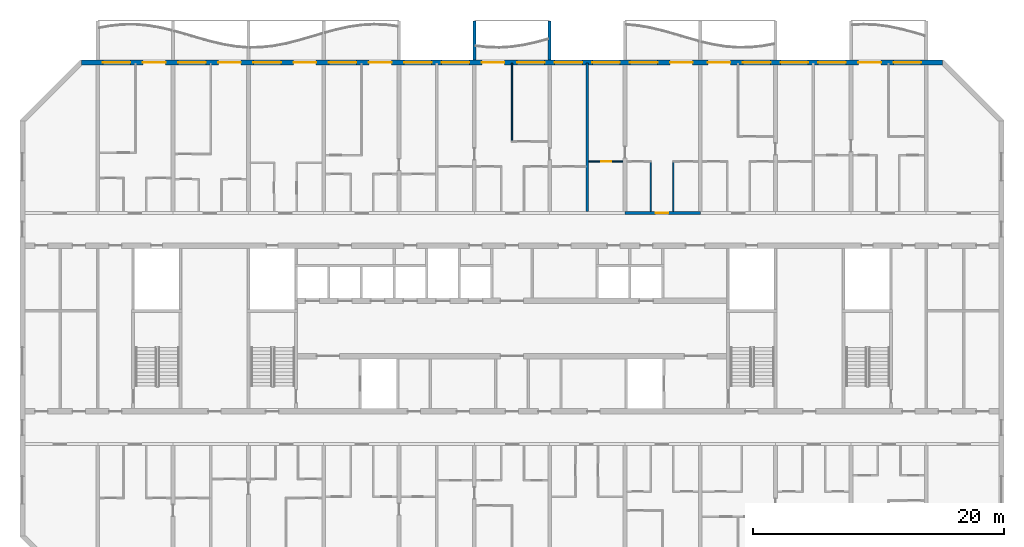
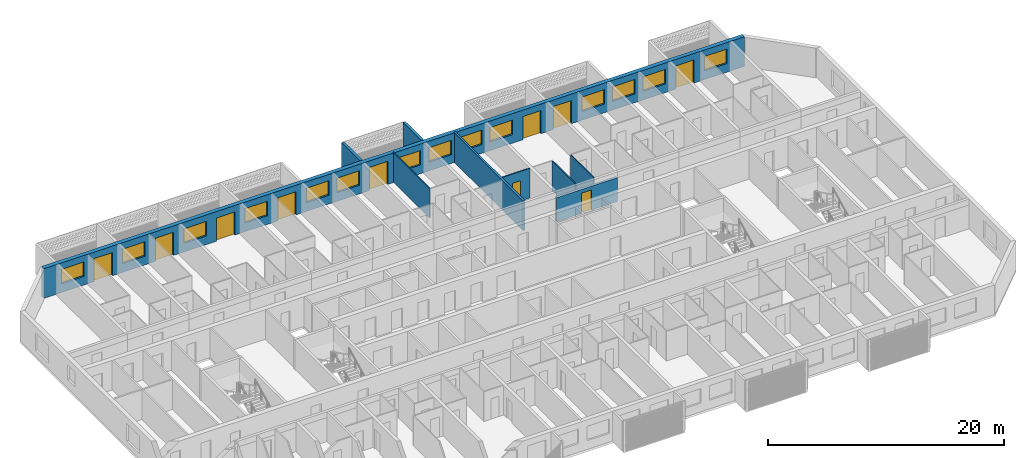
# One storey, part 10 of 32: 14 windows, 10 doors, 9 walls, 24 openings.
"""IFC4 building model written with IfcOpenShell, lengths in metres."""

from ifc_helpers import new_model, si_unit, direction, frame, frame_2d, origin, place, context, subcontext, project, spatial, polyline, rectangle, outline, extrude, source, transform, mapped, material, layer, layer_set, type_object, element, fill, save


model = new_model("IFC4")

# Units and contexts
model_context = context("Model", 3, precision=1e-05, world=origin(), true_north=direction((0.0, 1.0)))
body_context = subcontext(model_context, "Body", "Model", "MODEL_VIEW")
ifc_project = project(units=[si_unit("LENGTHUNIT", "METRE"), si_unit("AREAUNIT", "SQUARE_METRE"), si_unit("VOLUMEUNIT", "CUBIC_METRE"), si_unit("PLANEANGLEUNIT", "RADIAN"), si_unit("MASSUNIT", "GRAM", prefix="KILO")], contexts=[model_context])

# Site, building, storey
site_placement = place(None, origin())
site = spatial("IfcSite", under=ifc_project, at=site_placement, CompositionType="ELEMENT")
building_placement = place(site_placement, origin())
building = spatial("IfcBuilding", under=site, at=building_placement, Name="Poui Terraces", CompositionType="ELEMENT")
storey_placement = place(building_placement, frame((0.0, 0.0, 125.699951171875)))
storey = spatial("IfcBuildingStorey", under=building, at=storey_placement, Name="L34", CompositionType="ELEMENT", Elevation=125.699951171875)

# Wall, opening, door
ifc_material_1 = material(Name="Concrete 65 MPa", Category="concrete")
ifc_layer_1 = layer(ifc_material_1, 0.25)
ifc_layer_set_1 = layer_set([ifc_layer_1], Name="Concrete 65 MPa")
wall_type_1 = type_object("IfcWallType", Name="CORRIDOR WALL 250 65MPa", PredefinedType="SHEAR", material=ifc_layer_set_1)
wall_1_placement = place(storey_placement, frame((60.0, 30.39990234375, 0.0), z_axis=(0.0, 0.0, 1.0), x_axis=(1.0, 0.0, 0.0)))
wall_1 = element("IfcWall", 1, at=wall_1_placement, inside=storey, type_object=wall_type_1, Name="CORRIDOR WALL LINE E BAY 9", PredefinedType="SHEAR", context=body_context, shape_type="SweptSolid", body=[
    extrude(rectangle(XDim=6.0, YDim=0.25, at=frame_2d((3.0, 0.0))), origin(), (0.0, 0.0, 1.0), 2.469970703125),
])
opening_1_placement = place(wall_1_placement, frame((2.449951171875, 0.0, 0.0)))
opening_1 = element("IfcOpeningElement", 2, at=opening_1_placement, cuts=wall_1, Name="Opening FD30S", PredefinedType="OPENING", context=body_context, shape_type="SweptSolid", body=[
    extrude(rectangle(XDim=1.0, YDim=2.10009765625, at=frame_2d((0.5, 1.050048828125))), frame((0.0, 0.135009765625, 0.0), z_axis=(0.0, -1.0, 0.0), x_axis=(1.0, 0.0, 0.0)), (0.0, 0.0, 1.0), 0.27001953125),
])
ifc_material_2 = material(Name="Steel fire door", Category="steel")
door_type_1 = type_object("IfcDoorType", Name="FLAT ENTRANCE DOOR 1000 X 2100", OperationType="NOTDEFINED", PredefinedType="DOOR", material=ifc_material_2)
door_1_placement = place(opening_1_placement, origin())
door_1 = element("IfcDoor", 3, at=door_1_placement, inside=storey, type_object=door_type_1, Name="FLAT ENTRANCE DOOR 063", OperationType="SINGLE_SWING_LEFT", OverallHeight=2.10009765625, OverallWidth=1.0, PredefinedType="DOOR", context=body_context, shape_type="SweptSolid", body=[
    extrude(rectangle(XDim=1.0, YDim=2.10009765625, at=frame_2d((0.5, 1.050048828125))), frame((0.0, 0.02490234375, 0.0), z_axis=(0.0, -1.0, 0.0), x_axis=(1.0, 0.0, 0.0)), (0.0, 0.0, 1.0), 0.050048828125),
])
fill(opening_1, door_1)

# Wall, openings, doors, windows
ifc_material_3 = material(Name="Precast concrete 40 MPa", Category="concrete")
ifc_layer_2 = layer(ifc_material_3, 0.39990234375)
ifc_layer_set_2 = layer_set([ifc_layer_2], Name="Precast concrete 40 MPa")
wall_type_2 = type_object("IfcWallType", Name="EXTERNAL WALL 400", PredefinedType="STANDARD", material=ifc_layer_set_2)
wall_2_placement = place(storey_placement, frame((85.317138671875, 42.39990234375, 0.0), z_axis=(0.0, 0.0, 1.0), x_axis=(-1.0, 0.0, 0.0)))
wall_2 = element("IfcWall", 4, at=wall_2_placement, inside=storey, type_object=wall_type_2, Name="EXTERNAL WALL N", PredefinedType="STANDARD", context=body_context, shape_type="SweptSolid", body=[
    extrude(rectangle(XDim=68.63427734375, YDim=0.39990234375, at=frame_2d((34.317138671875, 0.0))), origin(), (0.0, 0.0, 1.0), 3.070068359375),
])
opening_2_placement = place(wall_2_placement, frame((64.71728515625, 0.0, 0.89990234375)))
opening_2 = element("IfcOpeningElement", 5, at=opening_2_placement, cuts=wall_2, Name="Opening W1", PredefinedType="OPENING", context=body_context, shape_type="SweptSolid", body=[
    extrude(rectangle(XDim=2.199951171875, YDim=1.5, at=frame_2d((1.10009765625, 0.75))), frame((0.0, 0.2099609375, 0.0), z_axis=(0.0, -1.0, 0.0), x_axis=(1.0, 0.0, 0.0)), (0.0, 0.0, 1.0), 0.419921875),
])
opening_3_placement = place(wall_2_placement, frame((61.917236328125, 0.0, 0.0)))
opening_3 = element("IfcOpeningElement", 6, at=opening_3_placement, cuts=wall_2, Name="Opening BD1", PredefinedType="OPENING", context=body_context, shape_type="SweptSolid", body=[
    extrude(rectangle(XDim=1.800048828125, YDim=2.39990234375, at=frame_2d((0.89990234375, 1.199951171875))), frame((0.0, 0.2099609375, 0.0), z_axis=(0.0, -1.0, 0.0), x_axis=(1.0, 0.0, 0.0)), (0.0, 0.0, 1.0), 0.419921875),
])
opening_4_placement = place(wall_2_placement, frame((58.71728515625, 0.0, 0.89990234375)))
opening_4 = element("IfcOpeningElement", 7, at=opening_4_placement, cuts=wall_2, Name="Opening W1", PredefinedType="OPENING", context=body_context, shape_type="SweptSolid", body=[
    extrude(rectangle(XDim=2.199951171875, YDim=1.5, at=frame_2d((1.10009765625, 0.75))), frame((0.0, 0.2099609375, 0.0), z_axis=(0.0, -1.0, 0.0), x_axis=(1.0, 0.0, 0.0)), (0.0, 0.0, 1.0), 0.419921875),
])
opening_5_placement = place(wall_2_placement, frame((55.917236328125, 0.0, 0.0)))
opening_5 = element("IfcOpeningElement", 8, at=opening_5_placement, cuts=wall_2, Name="Opening BD1", PredefinedType="OPENING", context=body_context, shape_type="SweptSolid", body=[
    extrude(rectangle(XDim=1.800048828125, YDim=2.39990234375, at=frame_2d((0.89990234375, 1.199951171875))), frame((0.0, 0.2099609375, 0.0), z_axis=(0.0, -1.0, 0.0), x_axis=(1.0, 0.0, 0.0)), (0.0, 0.0, 1.0), 0.419921875),
])
opening_6_placement = place(wall_2_placement, frame((52.71728515625, 0.0, 0.89990234375)))
opening_6 = element("IfcOpeningElement", 9, at=opening_6_placement, cuts=wall_2, Name="Opening W1", PredefinedType="OPENING", context=body_context, shape_type="SweptSolid", body=[
    extrude(rectangle(XDim=2.199951171875, YDim=1.5, at=frame_2d((1.10009765625, 0.75))), frame((0.0, 0.2099609375, 0.0), z_axis=(0.0, -1.0, 0.0), x_axis=(1.0, 0.0, 0.0)), (0.0, 0.0, 1.0), 0.419921875),
])
opening_7_placement = place(wall_2_placement, frame((49.917236328125, 0.0, 0.0)))
opening_7 = element("IfcOpeningElement", 10, at=opening_7_placement, cuts=wall_2, Name="Opening BD1", PredefinedType="OPENING", context=body_context, shape_type="SweptSolid", body=[
    extrude(rectangle(XDim=1.800048828125, YDim=2.39990234375, at=frame_2d((0.89990234375, 1.199951171875))), frame((0.0, 0.2099609375, 0.0), z_axis=(0.0, -1.0, 0.0), x_axis=(1.0, 0.0, 0.0)), (0.0, 0.0, 1.0), 0.419921875),
])
opening_8_placement = place(wall_2_placement, frame((46.71728515625, 0.0, 0.89990234375)))
opening_8 = element("IfcOpeningElement", 11, at=opening_8_placement, cuts=wall_2, Name="Opening W1", PredefinedType="OPENING", context=body_context, shape_type="SweptSolid", body=[
    extrude(rectangle(XDim=2.199951171875, YDim=1.5, at=frame_2d((1.10009765625, 0.75))), frame((0.0, 0.2099609375, 0.0), z_axis=(0.0, -1.0, 0.0), x_axis=(1.0, 0.0, 0.0)), (0.0, 0.0, 1.0), 0.419921875),
])
opening_9_placement = place(wall_2_placement, frame((43.917236328125, 0.0, 0.0)))
opening_9 = element("IfcOpeningElement", 12, at=opening_9_placement, cuts=wall_2, Name="Opening BD1", PredefinedType="OPENING", context=body_context, shape_type="SweptSolid", body=[
    extrude(rectangle(XDim=1.800048828125, YDim=2.39990234375, at=frame_2d((0.89990234375, 1.199951171875))), frame((0.0, 0.2099609375, 0.0), z_axis=(0.0, -1.0, 0.0), x_axis=(1.0, 0.0, 0.0)), (0.0, 0.0, 1.0), 0.419921875),
])
opening_10_placement = place(wall_2_placement, frame((40.71728515625, 0.0, 0.89990234375)))
opening_10 = element("IfcOpeningElement", 13, at=opening_10_placement, cuts=wall_2, Name="Opening W1", PredefinedType="OPENING", context=body_context, shape_type="SweptSolid", body=[
    extrude(rectangle(XDim=2.199951171875, YDim=1.5, at=frame_2d((1.10009765625, 0.75))), frame((0.0, 0.2099609375, 0.0), z_axis=(0.0, -1.0, 0.0), x_axis=(1.0, 0.0, 0.0)), (0.0, 0.0, 1.0), 0.419921875),
])
opening_11_placement = place(wall_2_placement, frame((37.71728515625, 0.0, 0.89990234375)))
opening_11 = element("IfcOpeningElement", 14, at=opening_11_placement, cuts=wall_2, Name="Opening W1", PredefinedType="OPENING", context=body_context, shape_type="SweptSolid", body=[
    extrude(rectangle(XDim=2.199951171875, YDim=1.5, at=frame_2d((1.10009765625, 0.75))), frame((0.0, 0.2099609375, 0.0), z_axis=(0.0, -1.0, 0.0), x_axis=(1.0, 0.0, 0.0)), (0.0, 0.0, 1.0), 0.419921875),
])
opening_12_placement = place(wall_2_placement, frame((34.917236328125, 0.0, 0.0)))
opening_12 = element("IfcOpeningElement", 15, at=opening_12_placement, cuts=wall_2, Name="Opening BD1", PredefinedType="OPENING", context=body_context, shape_type="SweptSolid", body=[
    extrude(rectangle(XDim=1.800048828125, YDim=2.39990234375, at=frame_2d((0.89990234375, 1.199951171875))), frame((0.0, 0.2099609375, 0.0), z_axis=(0.0, -1.0, 0.0), x_axis=(1.0, 0.0, 0.0)), (0.0, 0.0, 1.0), 0.419921875),
])
opening_13_placement = place(wall_2_placement, frame((31.71728515625, 0.0, 0.89990234375)))
opening_13 = element("IfcOpeningElement", 16, at=opening_13_placement, cuts=wall_2, Name="Opening W1", PredefinedType="OPENING", context=body_context, shape_type="SweptSolid", body=[
    extrude(rectangle(XDim=2.199951171875, YDim=1.5, at=frame_2d((1.10009765625, 0.75))), frame((0.0, 0.2099609375, 0.0), z_axis=(0.0, -1.0, 0.0), x_axis=(1.0, 0.0, 0.0)), (0.0, 0.0, 1.0), 0.419921875),
])
opening_14_placement = place(wall_2_placement, frame((28.71728515625, 0.0, 0.89990234375)))
opening_14 = element("IfcOpeningElement", 17, at=opening_14_placement, cuts=wall_2, Name="Opening W1", PredefinedType="OPENING", context=body_context, shape_type="SweptSolid", body=[
    extrude(rectangle(XDim=2.199951171875, YDim=1.5, at=frame_2d((1.10009765625, 0.75))), frame((0.0, 0.2099609375, 0.0), z_axis=(0.0, -1.0, 0.0), x_axis=(1.0, 0.0, 0.0)), (0.0, 0.0, 1.0), 0.419921875),
])
opening_15_placement = place(wall_2_placement, frame((25.71728515625, 0.0, 0.89990234375)))
opening_15 = element("IfcOpeningElement", 18, at=opening_15_placement, cuts=wall_2, Name="Opening W1", PredefinedType="OPENING", context=body_context, shape_type="SweptSolid", body=[
    extrude(rectangle(XDim=2.199951171875, YDim=1.5, at=frame_2d((1.10009765625, 0.75))), frame((0.0, 0.2099609375, 0.0), z_axis=(0.0, -1.0, 0.0), x_axis=(1.0, 0.0, 0.0)), (0.0, 0.0, 1.0), 0.419921875),
])
opening_16_placement = place(wall_2_placement, frame((22.71728515625, 0.0, 0.89990234375)))
opening_16 = element("IfcOpeningElement", 19, at=opening_16_placement, cuts=wall_2, Name="Opening W1", PredefinedType="OPENING", context=body_context, shape_type="SweptSolid", body=[
    extrude(rectangle(XDim=2.199951171875, YDim=1.5, at=frame_2d((1.10009765625, 0.75))), frame((0.0, 0.2099609375, 0.0), z_axis=(0.0, -1.0, 0.0), x_axis=(1.0, 0.0, 0.0)), (0.0, 0.0, 1.0), 0.419921875),
])
opening_17_placement = place(wall_2_placement, frame((19.917236328125, 0.0, 0.0)))
opening_17 = element("IfcOpeningElement", 20, at=opening_17_placement, cuts=wall_2, Name="Opening BD1", PredefinedType="OPENING", context=body_context, shape_type="SweptSolid", body=[
    extrude(rectangle(XDim=1.800048828125, YDim=2.39990234375, at=frame_2d((0.89990234375, 1.199951171875))), frame((0.0, 0.2099609375, 0.0), z_axis=(0.0, -1.0, 0.0), x_axis=(1.0, 0.0, 0.0)), (0.0, 0.0, 1.0), 0.419921875),
])
opening_18_placement = place(wall_2_placement, frame((16.917236328125, 0.0, 0.0)))
opening_18 = element("IfcOpeningElement", 21, at=opening_18_placement, cuts=wall_2, Name="Opening BD1", PredefinedType="OPENING", context=body_context, shape_type="SweptSolid", body=[
    extrude(rectangle(XDim=1.800048828125, YDim=2.39990234375, at=frame_2d((0.89990234375, 1.199951171875))), frame((0.0, 0.2099609375, 0.0), z_axis=(0.0, -1.0, 0.0), x_axis=(1.0, 0.0, 0.0)), (0.0, 0.0, 1.0), 0.419921875),
])
opening_19_placement = place(wall_2_placement, frame((13.71728515625, 0.0, 0.89990234375)))
opening_19 = element("IfcOpeningElement", 22, at=opening_19_placement, cuts=wall_2, Name="Opening W1", PredefinedType="OPENING", context=body_context, shape_type="SweptSolid", body=[
    extrude(rectangle(XDim=2.199951171875, YDim=1.5, at=frame_2d((1.10009765625, 0.75))), frame((0.0, 0.2099609375, 0.0), z_axis=(0.0, -1.0, 0.0), x_axis=(1.0, 0.0, 0.0)), (0.0, 0.0, 1.0), 0.419921875),
])
opening_20_placement = place(wall_2_placement, frame((10.71728515625, 0.0, 0.89990234375)))
opening_20 = element("IfcOpeningElement", 23, at=opening_20_placement, cuts=wall_2, Name="Opening W1", PredefinedType="OPENING", context=body_context, shape_type="SweptSolid", body=[
    extrude(rectangle(XDim=2.199951171875, YDim=1.5, at=frame_2d((1.10009765625, 0.75))), frame((0.0, 0.2099609375, 0.0), z_axis=(0.0, -1.0, 0.0), x_axis=(1.0, 0.0, 0.0)), (0.0, 0.0, 1.0), 0.419921875),
])
opening_21_placement = place(wall_2_placement, frame((7.71728515625, 0.0, 0.89990234375)))
opening_21 = element("IfcOpeningElement", 24, at=opening_21_placement, cuts=wall_2, Name="Opening W1", PredefinedType="OPENING", context=body_context, shape_type="SweptSolid", body=[
    extrude(rectangle(XDim=2.199951171875, YDim=1.5, at=frame_2d((1.10009765625, 0.75))), frame((0.0, 0.2099609375, 0.0), z_axis=(0.0, -1.0, 0.0), x_axis=(1.0, 0.0, 0.0)), (0.0, 0.0, 1.0), 0.419921875),
])
opening_22_placement = place(wall_2_placement, frame((4.917236328125, 0.0, 0.0)))
opening_22 = element("IfcOpeningElement", 25, at=opening_22_placement, cuts=wall_2, Name="Opening BD1", PredefinedType="OPENING", context=body_context, shape_type="SweptSolid", body=[
    extrude(rectangle(XDim=1.800048828125, YDim=2.39990234375, at=frame_2d((0.89990234375, 1.199951171875))), frame((0.0, 0.2099609375, 0.0), z_axis=(0.0, -1.0, 0.0), x_axis=(1.0, 0.0, 0.0)), (0.0, 0.0, 1.0), 0.419921875),
])
opening_23_placement = place(wall_2_placement, frame((1.71728515625, 0.0, 0.89990234375)))
opening_23 = element("IfcOpeningElement", 26, at=opening_23_placement, cuts=wall_2, Name="Opening W1", PredefinedType="OPENING", context=body_context, shape_type="SweptSolid", body=[
    extrude(rectangle(XDim=2.199951171875, YDim=1.5, at=frame_2d((1.10009765625, 0.75))), frame((0.0, 0.2099609375, 0.0), z_axis=(0.0, -1.0, 0.0), x_axis=(1.0, 0.0, 0.0)), (0.0, 0.0, 1.0), 0.419921875),
])
ifc_material_4 = material(Name="Clear glass in aluminium frame", Category="aluminium")
door_type_2 = type_object("IfcDoorType", Name="BALCONY DOOR 1800X2400", OperationType="DOUBLE_DOOR_SLIDING", PredefinedType="DOOR", material=ifc_material_4)
door_2_placement = place(opening_3_placement, origin())
door_2 = element("IfcDoor", 27, at=door_2_placement, inside=storey, type_object=door_type_2, Name="BD1 BALCONY DOOR", OperationType="DOUBLE_DOOR_SLIDING", OverallHeight=2.39990234375, OverallWidth=1.800048828125, PredefinedType="DOOR", context=body_context, shape_type="SweptSolid", body=[
    extrude(rectangle(XDim=1.800048828125, YDim=2.39990234375, at=frame_2d((0.89990234375, 1.199951171875))), frame((0.0, 0.02490234375, 0.0), z_axis=(0.0, -1.0, 0.0), x_axis=(1.0, 0.0, 0.0)), (0.0, 0.0, 1.0), 0.050048828125),
])
fill(opening_3, door_2)
door_3_placement = place(opening_5_placement, origin())
door_3 = element("IfcDoor", 28, at=door_3_placement, inside=storey, type_object=door_type_2, Name="BD1 BALCONY DOOR", OperationType="DOUBLE_DOOR_SLIDING", OverallHeight=2.39990234375, OverallWidth=1.800048828125, PredefinedType="DOOR", context=body_context, shape_type="SweptSolid", body=[
    extrude(rectangle(XDim=1.800048828125, YDim=2.39990234375, at=frame_2d((0.89990234375, 1.199951171875))), frame((0.0, 0.02490234375, 0.0), z_axis=(0.0, -1.0, 0.0), x_axis=(1.0, 0.0, 0.0)), (0.0, 0.0, 1.0), 0.050048828125),
])
fill(opening_5, door_3)
door_4_placement = place(opening_7_placement, origin())
door_4 = element("IfcDoor", 29, at=door_4_placement, inside=storey, type_object=door_type_2, Name="BD1 BALCONY DOOR", OperationType="DOUBLE_DOOR_SLIDING", OverallHeight=2.39990234375, OverallWidth=1.800048828125, PredefinedType="DOOR", context=body_context, shape_type="SweptSolid", body=[
    extrude(rectangle(XDim=1.800048828125, YDim=2.39990234375, at=frame_2d((0.89990234375, 1.199951171875))), frame((0.0, 0.02490234375, 0.0), z_axis=(0.0, -1.0, 0.0), x_axis=(1.0, 0.0, 0.0)), (0.0, 0.0, 1.0), 0.050048828125),
])
fill(opening_7, door_4)
door_5_placement = place(opening_9_placement, origin())
door_5 = element("IfcDoor", 30, at=door_5_placement, inside=storey, type_object=door_type_2, Name="BD1 BALCONY DOOR", OperationType="DOUBLE_DOOR_SLIDING", OverallHeight=2.39990234375, OverallWidth=1.800048828125, PredefinedType="DOOR", context=body_context, shape_type="SweptSolid", body=[
    extrude(rectangle(XDim=1.800048828125, YDim=2.39990234375, at=frame_2d((0.89990234375, 1.199951171875))), frame((0.0, 0.02490234375, 0.0), z_axis=(0.0, -1.0, 0.0), x_axis=(1.0, 0.0, 0.0)), (0.0, 0.0, 1.0), 0.050048828125),
])
fill(opening_9, door_5)
door_6_placement = place(opening_12_placement, origin())
door_6 = element("IfcDoor", 31, at=door_6_placement, inside=storey, type_object=door_type_2, Name="BD1 BALCONY DOOR", OperationType="DOUBLE_DOOR_SLIDING", OverallHeight=2.39990234375, OverallWidth=1.800048828125, PredefinedType="DOOR", context=body_context, shape_type="SweptSolid", body=[
    extrude(rectangle(XDim=1.800048828125, YDim=2.39990234375, at=frame_2d((0.89990234375, 1.199951171875))), frame((0.0, 0.02490234375, 0.0), z_axis=(0.0, -1.0, 0.0), x_axis=(1.0, 0.0, 0.0)), (0.0, 0.0, 1.0), 0.050048828125),
])
fill(opening_12, door_6)
door_7_placement = place(opening_17_placement, origin())
door_7 = element("IfcDoor", 32, at=door_7_placement, inside=storey, type_object=door_type_2, Name="BD1 BALCONY DOOR", OperationType="DOUBLE_DOOR_SLIDING", OverallHeight=2.39990234375, OverallWidth=1.800048828125, PredefinedType="DOOR", context=body_context, shape_type="SweptSolid", body=[
    extrude(rectangle(XDim=1.800048828125, YDim=2.39990234375, at=frame_2d((0.89990234375, 1.199951171875))), frame((0.0, 0.02490234375, 0.0), z_axis=(0.0, -1.0, 0.0), x_axis=(1.0, 0.0, 0.0)), (0.0, 0.0, 1.0), 0.050048828125),
])
fill(opening_17, door_7)
door_8_placement = place(opening_18_placement, origin())
door_8 = element("IfcDoor", 33, at=door_8_placement, inside=storey, type_object=door_type_2, Name="BD1 BALCONY DOOR", OperationType="DOUBLE_DOOR_SLIDING", OverallHeight=2.39990234375, OverallWidth=1.800048828125, PredefinedType="DOOR", context=body_context, shape_type="SweptSolid", body=[
    extrude(rectangle(XDim=1.800048828125, YDim=2.39990234375, at=frame_2d((0.89990234375, 1.199951171875))), frame((0.0, 0.02490234375, 0.0), z_axis=(0.0, -1.0, 0.0), x_axis=(1.0, 0.0, 0.0)), (0.0, 0.0, 1.0), 0.050048828125),
])
fill(opening_18, door_8)
door_9_placement = place(opening_22_placement, origin())
door_9 = element("IfcDoor", 34, at=door_9_placement, inside=storey, type_object=door_type_2, Name="BD1 BALCONY DOOR", OperationType="DOUBLE_DOOR_SLIDING", OverallHeight=2.39990234375, OverallWidth=1.800048828125, PredefinedType="DOOR", context=body_context, shape_type="SweptSolid", body=[
    extrude(rectangle(XDim=1.800048828125, YDim=2.39990234375, at=frame_2d((0.89990234375, 1.199951171875))), frame((0.0, 0.02490234375, 0.0), z_axis=(0.0, -1.0, 0.0), x_axis=(1.0, 0.0, 0.0)), (0.0, 0.0, 1.0), 0.050048828125),
])
fill(opening_22, door_9)
window_type = type_object("IfcWindowType", Name="WINDOW 2200X1500", PartitioningType="DOUBLE_PANEL_HORIZONTAL", PredefinedType="WINDOW", material=ifc_material_4)
window_1_placement = place(opening_2_placement, origin())
window_1 = element("IfcWindow", 35, at=window_1_placement, inside=storey, type_object=window_type, Name="W1 WINDOW", OverallHeight=1.5, OverallWidth=2.199951171875, PartitioningType="DOUBLE_PANEL_HORIZONTAL", PredefinedType="WINDOW", context=body_context, shape_type="SweptSolid", body=[
    extrude(rectangle(XDim=2.199951171875, YDim=1.5, at=frame_2d((1.10009765625, 0.75))), frame((0.0, 0.030029296875, 0.0), z_axis=(0.0, -1.0, 0.0), x_axis=(1.0, 0.0, 0.0)), (0.0, 0.0, 1.0), 0.06005859375),
])
fill(opening_2, window_1)
window_2_placement = place(opening_4_placement, origin())
window_2 = element("IfcWindow", 36, at=window_2_placement, inside=storey, type_object=window_type, Name="W1 WINDOW", OverallHeight=1.5, OverallWidth=2.199951171875, PartitioningType="DOUBLE_PANEL_HORIZONTAL", PredefinedType="WINDOW", context=body_context, shape_type="SweptSolid", body=[
    extrude(rectangle(XDim=2.199951171875, YDim=1.5, at=frame_2d((1.10009765625, 0.75))), frame((0.0, 0.030029296875, 0.0), z_axis=(0.0, -1.0, 0.0), x_axis=(1.0, 0.0, 0.0)), (0.0, 0.0, 1.0), 0.06005859375),
])
fill(opening_4, window_2)
window_3_placement = place(opening_6_placement, origin())
window_3 = element("IfcWindow", 37, at=window_3_placement, inside=storey, type_object=window_type, Name="W1 WINDOW", OverallHeight=1.5, OverallWidth=2.199951171875, PartitioningType="DOUBLE_PANEL_HORIZONTAL", PredefinedType="WINDOW", context=body_context, shape_type="SweptSolid", body=[
    extrude(rectangle(XDim=2.199951171875, YDim=1.5, at=frame_2d((1.10009765625, 0.75))), frame((0.0, 0.030029296875, 0.0), z_axis=(0.0, -1.0, 0.0), x_axis=(1.0, 0.0, 0.0)), (0.0, 0.0, 1.0), 0.06005859375),
])
fill(opening_6, window_3)
window_4_placement = place(opening_8_placement, origin())
window_4 = element("IfcWindow", 38, at=window_4_placement, inside=storey, type_object=window_type, Name="W1 WINDOW", OverallHeight=1.5, OverallWidth=2.199951171875, PartitioningType="DOUBLE_PANEL_HORIZONTAL", PredefinedType="WINDOW", context=body_context, shape_type="SweptSolid", body=[
    extrude(rectangle(XDim=2.199951171875, YDim=1.5, at=frame_2d((1.10009765625, 0.75))), frame((0.0, 0.030029296875, 0.0), z_axis=(0.0, -1.0, 0.0), x_axis=(1.0, 0.0, 0.0)), (0.0, 0.0, 1.0), 0.06005859375),
])
fill(opening_8, window_4)
window_5_placement = place(opening_10_placement, origin())
window_5 = element("IfcWindow", 39, at=window_5_placement, inside=storey, type_object=window_type, Name="W1 WINDOW", OverallHeight=1.5, OverallWidth=2.199951171875, PartitioningType="DOUBLE_PANEL_HORIZONTAL", PredefinedType="WINDOW", context=body_context, shape_type="SweptSolid", body=[
    extrude(rectangle(XDim=2.199951171875, YDim=1.5, at=frame_2d((1.10009765625, 0.75))), frame((0.0, 0.030029296875, 0.0), z_axis=(0.0, -1.0, 0.0), x_axis=(1.0, 0.0, 0.0)), (0.0, 0.0, 1.0), 0.06005859375),
])
fill(opening_10, window_5)
window_6_placement = place(opening_11_placement, origin())
window_6 = element("IfcWindow", 40, at=window_6_placement, inside=storey, type_object=window_type, Name="W1 WINDOW", OverallHeight=1.5, OverallWidth=2.199951171875, PartitioningType="DOUBLE_PANEL_HORIZONTAL", PredefinedType="WINDOW", context=body_context, shape_type="SweptSolid", body=[
    extrude(rectangle(XDim=2.199951171875, YDim=1.5, at=frame_2d((1.10009765625, 0.75))), frame((0.0, 0.030029296875, 0.0), z_axis=(0.0, -1.0, 0.0), x_axis=(1.0, 0.0, 0.0)), (0.0, 0.0, 1.0), 0.06005859375),
])
fill(opening_11, window_6)
window_7_placement = place(opening_13_placement, origin())
window_7 = element("IfcWindow", 41, at=window_7_placement, inside=storey, type_object=window_type, Name="W1 WINDOW", OverallHeight=1.5, OverallWidth=2.199951171875, PartitioningType="DOUBLE_PANEL_HORIZONTAL", PredefinedType="WINDOW", context=body_context, shape_type="SweptSolid", body=[
    extrude(rectangle(XDim=2.199951171875, YDim=1.5, at=frame_2d((1.10009765625, 0.75))), frame((0.0, 0.030029296875, 0.0), z_axis=(0.0, -1.0, 0.0), x_axis=(1.0, 0.0, 0.0)), (0.0, 0.0, 1.0), 0.06005859375),
])
fill(opening_13, window_7)
window_8_placement = place(opening_14_placement, origin())
window_8 = element("IfcWindow", 42, at=window_8_placement, inside=storey, type_object=window_type, Name="W1 WINDOW", OverallHeight=1.5, OverallWidth=2.199951171875, PartitioningType="DOUBLE_PANEL_HORIZONTAL", PredefinedType="WINDOW", context=body_context, shape_type="SweptSolid", body=[
    extrude(rectangle(XDim=2.199951171875, YDim=1.5, at=frame_2d((1.10009765625, 0.75))), frame((0.0, 0.030029296875, 0.0), z_axis=(0.0, -1.0, 0.0), x_axis=(1.0, 0.0, 0.0)), (0.0, 0.0, 1.0), 0.06005859375),
])
fill(opening_14, window_8)
window_9_placement = place(opening_15_placement, origin())
window_9 = element("IfcWindow", 43, at=window_9_placement, inside=storey, type_object=window_type, Name="W1 WINDOW", OverallHeight=1.5, OverallWidth=2.199951171875, PartitioningType="DOUBLE_PANEL_HORIZONTAL", PredefinedType="WINDOW", context=body_context, shape_type="SweptSolid", body=[
    extrude(rectangle(XDim=2.199951171875, YDim=1.5, at=frame_2d((1.10009765625, 0.75))), frame((0.0, 0.030029296875, 0.0), z_axis=(0.0, -1.0, 0.0), x_axis=(1.0, 0.0, 0.0)), (0.0, 0.0, 1.0), 0.06005859375),
])
fill(opening_15, window_9)
window_10_placement = place(opening_16_placement, origin())
window_10 = element("IfcWindow", 44, at=window_10_placement, inside=storey, type_object=window_type, Name="W1 WINDOW", OverallHeight=1.5, OverallWidth=2.199951171875, PartitioningType="DOUBLE_PANEL_HORIZONTAL", PredefinedType="WINDOW", context=body_context, shape_type="SweptSolid", body=[
    extrude(rectangle(XDim=2.199951171875, YDim=1.5, at=frame_2d((1.10009765625, 0.75))), frame((0.0, 0.030029296875, 0.0), z_axis=(0.0, -1.0, 0.0), x_axis=(1.0, 0.0, 0.0)), (0.0, 0.0, 1.0), 0.06005859375),
])
fill(opening_16, window_10)
window_11_placement = place(opening_19_placement, origin())
window_11 = element("IfcWindow", 45, at=window_11_placement, inside=storey, type_object=window_type, Name="W1 WINDOW", OverallHeight=1.5, OverallWidth=2.199951171875, PartitioningType="DOUBLE_PANEL_HORIZONTAL", PredefinedType="WINDOW", context=body_context, shape_type="SweptSolid", body=[
    extrude(rectangle(XDim=2.199951171875, YDim=1.5, at=frame_2d((1.10009765625, 0.75))), frame((0.0, 0.030029296875, 0.0), z_axis=(0.0, -1.0, 0.0), x_axis=(1.0, 0.0, 0.0)), (0.0, 0.0, 1.0), 0.06005859375),
])
fill(opening_19, window_11)
window_12_placement = place(opening_20_placement, origin())
window_12 = element("IfcWindow", 46, at=window_12_placement, inside=storey, type_object=window_type, Name="W1 WINDOW", OverallHeight=1.5, OverallWidth=2.199951171875, PartitioningType="DOUBLE_PANEL_HORIZONTAL", PredefinedType="WINDOW", context=body_context, shape_type="SweptSolid", body=[
    extrude(rectangle(XDim=2.199951171875, YDim=1.5, at=frame_2d((1.10009765625, 0.75))), frame((0.0, 0.030029296875, 0.0), z_axis=(0.0, -1.0, 0.0), x_axis=(1.0, 0.0, 0.0)), (0.0, 0.0, 1.0), 0.06005859375),
])
fill(opening_20, window_12)
window_13_placement = place(opening_21_placement, origin())
window_13 = element("IfcWindow", 47, at=window_13_placement, inside=storey, type_object=window_type, Name="W1 WINDOW", OverallHeight=1.5, OverallWidth=2.199951171875, PartitioningType="DOUBLE_PANEL_HORIZONTAL", PredefinedType="WINDOW", context=body_context, shape_type="SweptSolid", body=[
    extrude(rectangle(XDim=2.199951171875, YDim=1.5, at=frame_2d((1.10009765625, 0.75))), frame((0.0, 0.030029296875, 0.0), z_axis=(0.0, -1.0, 0.0), x_axis=(1.0, 0.0, 0.0)), (0.0, 0.0, 1.0), 0.06005859375),
])
fill(opening_21, window_13)
window_14_placement = place(opening_23_placement, origin())
window_14 = element("IfcWindow", 48, at=window_14_placement, inside=storey, type_object=window_type, Name="W1 WINDOW", OverallHeight=1.5, OverallWidth=2.199951171875, PartitioningType="DOUBLE_PANEL_HORIZONTAL", PredefinedType="WINDOW", context=body_context, shape_type="SweptSolid", body=[
    extrude(rectangle(XDim=2.199951171875, YDim=1.5, at=frame_2d((1.10009765625, 0.75))), frame((0.0, 0.030029296875, 0.0), z_axis=(0.0, -1.0, 0.0), x_axis=(1.0, 0.0, 0.0)), (0.0, 0.0, 1.0), 0.06005859375),
])
fill(opening_23, window_14)

# Wall, opening, door
ifc_material_5 = material(Name="Plasterboard partition")
ifc_layer_3 = layer(ifc_material_5, 0.10009765625)
ifc_layer_set_3 = layer_set([ifc_layer_3], Name="Plasterboard partition")
wall_type_3 = type_object("IfcWallType", Name="FLAT PARTITION 100", PredefinedType="PARTITIONING", material=ifc_layer_set_3)
wall_3_placement = place(storey_placement, frame((57.10009765625, 34.5, 0.0), z_axis=(0.0, 0.0, 1.0), x_axis=(1.0, 0.0, 0.0)))
wall_3 = element("IfcWall", 49, at=wall_3_placement, inside=storey, type_object=wall_type_3, Name="FLAT PARTITION 100", PredefinedType="PARTITIONING", context=body_context, shape_type="SweptSolid", body=[
    extrude(rectangle(XDim=2.739990234375, YDim=0.10009765625, at=frame_2d((1.3701171875, 0.0))), origin(), (0.0, 0.0, 1.0), 3.070068359375),
])
opening_24_placement = place(wall_3_placement, frame((1.0, 0.0, 0.0)))
opening_24 = element("IfcOpeningElement", 50, at=opening_24_placement, cuts=wall_3, Name="Opening D80", PredefinedType="OPENING", context=body_context, shape_type="SweptSolid", body=[
    extrude(rectangle(XDim=0.800048828125, YDim=2.10009765625, at=frame_2d((0.39990234375, 1.050048828125))), frame((0.0, 0.06005859375, 0.0), z_axis=(0.0, -1.0, 0.0), x_axis=(1.0, 0.0, 0.0)), (0.0, 0.0, 1.0), 0.1201171875),
])
ifc_material_6 = material(Name="Solid core timber door", Category="wood")
door_type_3 = type_object("IfcDoorType", Name="BATHROOM, LAUNDRY AND STORE DOOR 800 X 2100", OperationType="NOTDEFINED", PredefinedType="DOOR", material=ifc_material_6)
door_10_placement = place(opening_24_placement, frame((0.800048828125, 0.0, 0.0), z_axis=(0.0, 0.0, 1.0), x_axis=(-1.0, 0.0, 0.0)))
door_10 = element("IfcDoor", 51, at=door_10_placement, inside=storey, type_object=door_type_3, Name="BATHROOM, LAUNDRY AND STORE DOOR 060", OperationType="SINGLE_SWING_RIGHT", OverallHeight=2.10009765625, OverallWidth=0.800048828125, PredefinedType="DOOR", context=body_context, shape_type="SweptSolid", body=[
    extrude(rectangle(XDim=0.800048828125, YDim=2.10009765625, at=frame_2d((0.39990234375, 1.050048828125))), frame((0.0, 0.02490234375, 0.0), z_axis=(0.0, -1.0, 0.0), x_axis=(1.0, 0.0, 0.0)), (0.0, 0.0, 1.0), 0.050048828125),
])
fill(opening_24, door_10)

# Walls
wall_4_placement = place(storey_placement, frame((51.0, 36.14990234375, 0.0), z_axis=(0.0, 0.0, 1.0), x_axis=(0.0, 1.0, 0.0)))
element("IfcWall", 52, at=wall_4_placement, inside=storey, type_object=wall_type_3, Name="FLAT PARTITION 100", PredefinedType="PARTITIONING", context=body_context, shape_type="SweptSolid", body=[
    extrude(rectangle(XDim=6.190185546875, YDim=0.10009765625, at=frame_2d((3.09521484375, 0.0))), origin(), (0.0, 0.0, 1.0), 3.070068359375),
])
for number, where, z_axis, x_axis, name in (
    (53, (62.050048828125, 30.534912109375, 0.0), (0.0, 0.0, 1.0), (0.0, 1.0, 0.0), "FLAT PARTITION 100"),
    (54, (63.85009765625, 30.534912109375, 0.0), (0.0, 0.0, 1.0), (0.0, 1.0, 0.0), "FLAT PARTITION 100"),
):
    element("IfcWall", number, at=place(storey_placement, frame(where, z_axis=z_axis, x_axis=x_axis)), inside=storey, type_object=wall_type_3, Name=name, PredefinedType="PARTITIONING", context=body_context, shape_type="SweptSolid", body=[
        extrude(rectangle(XDim=3.9150390625, YDim=0.10009765625, at=frame_2d((1.95751953125, 0.0))), origin(), (0.0, 0.0, 1.0), 3.070068359375),
    ])
ifc_material_7 = material(Name="Fire-rated masonry wall", Category="masonry")
ifc_layer_4 = layer(ifc_material_7, 0.199951171875)
ifc_layer_set_4 = layer_set([ifc_layer_4], Name="Fire-rated masonry wall")
wall_type_4 = type_object("IfcWallType", Name="FLAT PARTY WALL 200", PredefinedType="PARTITIONING", material=ifc_layer_set_4)
wall_5_placement = place(storey_placement, frame((57.0, 30.534912109375, 0.0), z_axis=(0.0, 0.0, 1.0), x_axis=(0.0, 1.0, 0.0)))
element("IfcWall", 55, at=wall_5_placement, inside=storey, type_object=wall_type_4, Name="FLAT PARTY WALL 200", PredefinedType="PARTITIONING", context=body_context, shape_type="SweptSolid", body=[
    extrude(rectangle(XDim=11.80517578125, YDim=0.199951171875, at=frame_2d((5.902587890625, 0.0))), origin(), (0.0, 0.0, 1.0), 3.070068359375),
])
ifc_layer_5 = layer(ifc_material_3, 0.25)
ifc_layer_set_5 = layer_set([ifc_layer_5], Name="Precast concrete 40 MPa")
wall_type_5 = type_object("IfcWallType", Name="BALCONY FIN 250", PredefinedType="STANDARD", material=ifc_layer_set_5)
shared_shape = source(origin(), body_context, "Body", "SweptSolid", [
    extrude(outline(polyline([(0.0, 0.0), (0.25, 0.0), (0.25, 3.099853515625), (0.0, 3.099853515625), (0.0, 0.0)])), origin(), (0.0, 0.0, 1.0), 3.10009765625),
])
for number, where, name in (
    (56, (47.875, 42.60009765625, 0.0), "BALCONY FIN"),
    (57, (53.875, 42.60009765625, 0.0), "BALCONY FIN"),
):
    element("IfcWall", number, at=place(storey_placement, frame(where)), inside=storey, type_object=wall_type_5, Name=name, PredefinedType="STANDARD", context=body_context, shape_type="MappedRepresentation", body=[
        mapped(shared_shape, transform((0.0, 0.0, 0.0))),
    ])

save(model, "model.ifc")
